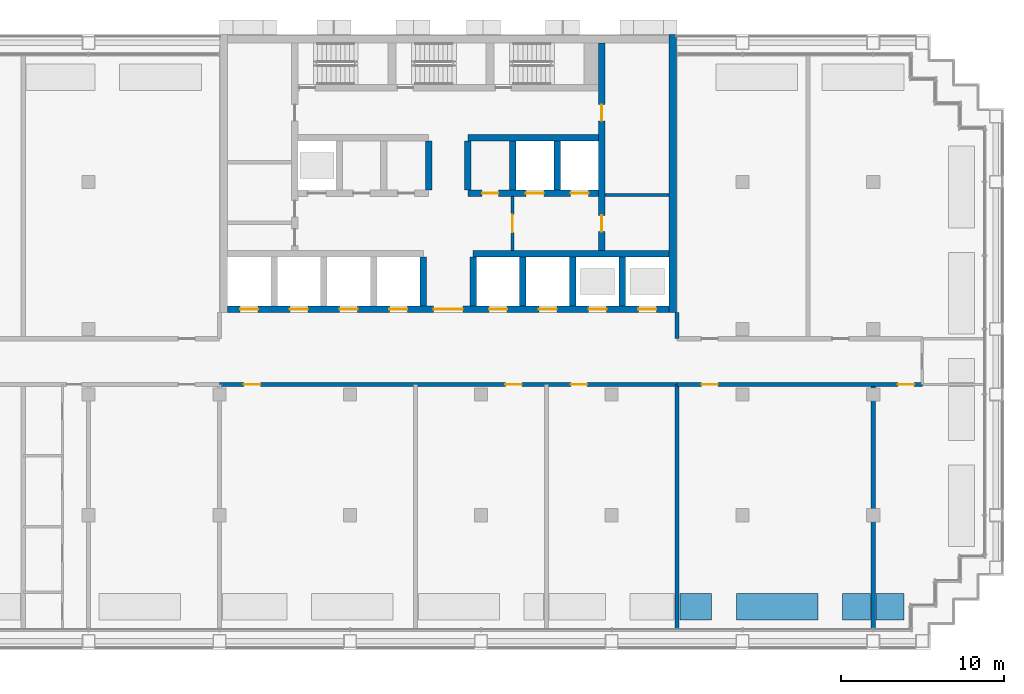
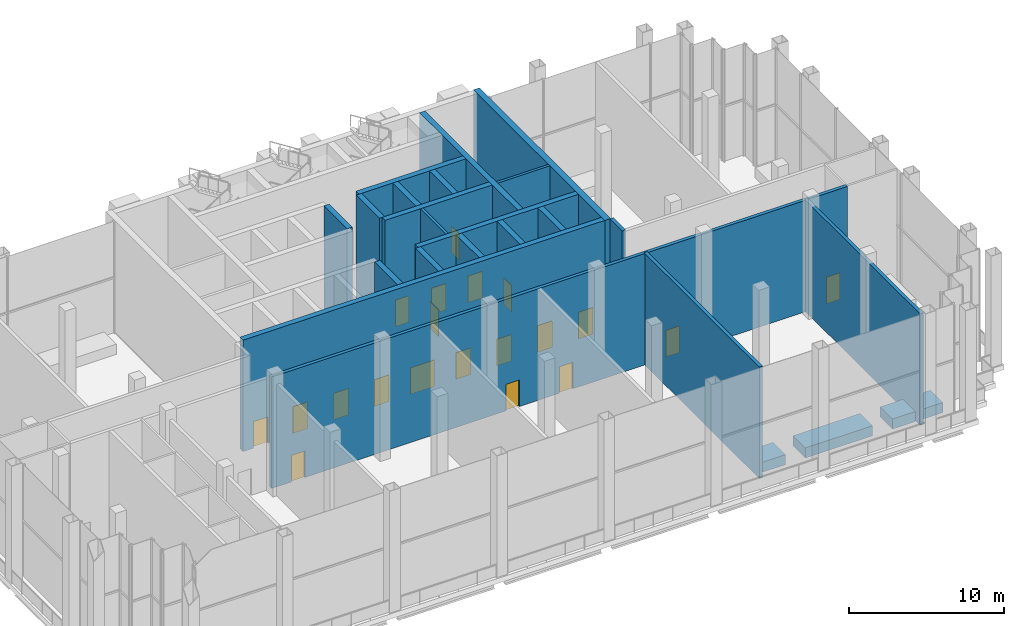
# One storey, part 9 of 16: 26 walls, 20 doors, 20 openings.
"""IFC4 building model written with IfcOpenShell, lengths in metres."""

from ifc_helpers import new_model, si_unit, direction, frame, frame_2d, origin, place, context, subcontext, project, spatial, rectangle, extrude, material, layer, layer_set, type_object, element, fill, save


model = new_model("IFC4")

# Units and contexts
model_context = context("Model", 3, precision=1e-05, world=origin(), true_north=direction((0.0, 1.0)))
body_context = subcontext(model_context, "Body", "Model", "MODEL_VIEW")
ifc_project = project(units=[si_unit("LENGTHUNIT", "METRE"), si_unit("AREAUNIT", "SQUARE_METRE"), si_unit("VOLUMEUNIT", "CUBIC_METRE"), si_unit("PLANEANGLEUNIT", "RADIAN"), si_unit("MASSUNIT", "GRAM", prefix="KILO")], contexts=[model_context])

# Site, building, storey
site_placement = place(None, origin())
site = spatial("IfcSite", under=ifc_project, at=site_placement, CompositionType="ELEMENT")
building_placement = place(site_placement, origin())
building = spatial("IfcBuilding", under=site, at=building_placement, Name="Vidyagriha Tower", CompositionType="ELEMENT")
storey_placement = place(building_placement, frame((0.0, 0.0, 151.800048828125)))
storey = spatial("IfcBuildingStorey", under=building, at=storey_placement, Name="L40", CompositionType="ELEMENT", Elevation=151.800048828125)

# Walls
ifc_material_1 = material(Name="Precast concrete C40/50 with brick facing", Category="concrete")
ifc_layer_1 = layer(ifc_material_1, 1.60009765625)
ifc_layer_set_1 = layer_set([ifc_layer_1], Name="Precast concrete C40/50 with brick facing")
wall_type_1 = type_object("IfcWallType", Name="Brick planter box 1600", PredefinedType="STANDARD", material=ifc_layer_set_1)
wall_1_placement = place(storey_placement, frame((17.6201171875, -15.0, 0.0)))
element("IfcWall", 1, at=wall_1_placement, inside=storey, type_object=wall_type_1, Name="PLANTER L40 16", PredefinedType="STANDARD", context=body_context, shape_type="SweptSolid", body=[
    extrude(rectangle(XDim=5.0, YDim=1.60009765625, at=frame_2d((2.5, 0.0))), origin(), (0.0, 0.0, 1.0), 0.800048828125),
])
wall_2_placement = place(storey_placement, frame((14.175048828125, -15.0, 0.0)))
element("IfcWall", 2, at=wall_2_placement, inside=storey, type_object=wall_type_1, Name="PLANTER L40 15", PredefinedType="STANDARD", context=body_context, shape_type="SweptSolid", body=[
    extrude(rectangle(XDim=1.945068359375, YDim=1.60009765625, at=frame_2d((0.97265625, 0.0))), origin(), (0.0, 0.0, 1.0), 0.800048828125),
])
for number, where, name in (
    (3, (24.1201171875, -15.0, 0.0), "PLANTER L40 17"),
    (4, (26.175048828125, -15.0, 0.0), "PLANTER L40 17"),
):
    element("IfcWall", number, at=place(storey_placement, frame(where)), inside=storey, type_object=wall_type_1, Name=name, PredefinedType="STANDARD", context=body_context, shape_type="SweptSolid", body=[
        extrude(rectangle(XDim=1.704833984375, YDim=1.60009765625, at=frame_2d((0.8525390625, 0.0))), origin(), (0.0, 0.0, 1.0), 0.800048828125),
    ])

# Wall, openings, doors
ifc_material_2 = material(Name="Concrete C60/75", Category="concrete")
ifc_layer_2 = layer(ifc_material_2, 0.39990234375)
ifc_layer_set_2 = layer_set([ifc_layer_2], Name="Concrete C60/75")
wall_type_2 = type_object("IfcWallType", Name="Core shear wall 400 mm", PredefinedType="SHEAR", material=ifc_layer_set_2)
wall_3_placement = place(storey_placement, frame((9.39990234375, 6.800048828125, 0.0), z_axis=(0.0, 0.0, 1.0), x_axis=(0.0, 1.0, 0.0)))
wall_3 = element("IfcWall", 5, at=wall_3_placement, inside=storey, type_object=wall_type_2, Name="Core east spine wall", PredefinedType="SHEAR", context=body_context, shape_type="SweptSolid", body=[
    extrude(rectangle(XDim=12.699951171875, YDim=0.39990234375, at=frame_2d((6.35009765625, 0.0))), origin(), (0.0, 0.0, 1.0), 8.800048828125),
])
opening_1_placement = place(wall_3_placement, frame((1.14990234375, 0.0, 0.0)))
opening_1 = element("IfcOpeningElement", 6, at=opening_1_placement, cuts=wall_3, Name="Opening D40-12", PredefinedType="OPENING", context=body_context, shape_type="SweptSolid", body=[
    extrude(rectangle(XDim=1.0, YDim=2.10009765625, at=frame_2d((0.5, 1.050048828125))), frame((0.0, 0.2099609375, 0.0), z_axis=(0.0, -1.0, 0.0), x_axis=(1.0, 0.0, 0.0)), (0.0, 0.0, 1.0), 0.419921875),
])
opening_2_placement = place(wall_3_placement, frame((7.925048828125, 0.0, 0.0)))
opening_2 = element("IfcOpeningElement", 7, at=opening_2_placement, cuts=wall_3, Name="Opening D40-13", PredefinedType="OPENING", context=body_context, shape_type="SweptSolid", body=[
    extrude(rectangle(XDim=1.0, YDim=2.10009765625, at=frame_2d((0.5, 1.050048828125))), frame((0.0, 0.2099609375, 0.0), z_axis=(0.0, -1.0, 0.0), x_axis=(1.0, 0.0, 0.0)), (0.0, 0.0, 1.0), 0.419921875),
])
ifc_material_3 = material(Name="Hollow metal door leaf")
door_type_1 = type_object("IfcDoorType", Name="Core room door 1000 x 2100 mm EI 60", OperationType="NOTDEFINED", PredefinedType="DOOR", material=ifc_material_3)
door_1_placement = place(opening_1_placement, origin())
door_1 = element("IfcDoor", 8, at=door_1_placement, inside=storey, type_object=door_type_1, Name="Door Storage Room 40.E1", OperationType="SINGLE_SWING_RIGHT", OverallHeight=2.10009765625, OverallWidth=1.0, PredefinedType="DOOR", context=body_context, shape_type="SweptSolid", body=[
    extrude(rectangle(XDim=1.0, YDim=2.10009765625, at=frame_2d((0.5, 1.050048828125))), frame((0.0, 0.02490234375, 0.0), z_axis=(0.0, -1.0, 0.0), x_axis=(1.0, 0.0, 0.0)), (0.0, 0.0, 1.0), 0.050048828125),
])
fill(opening_1, door_1)
door_2_placement = place(opening_2_placement, origin())
door_2 = element("IfcDoor", 9, at=door_2_placement, inside=storey, type_object=door_type_1, Name="Door Cleaners Store 40.E2", OperationType="SINGLE_SWING_LEFT", OverallHeight=2.10009765625, OverallWidth=1.0, PredefinedType="DOOR", context=body_context, shape_type="SweptSolid", body=[
    extrude(rectangle(XDim=1.0, YDim=2.10009765625, at=frame_2d((0.5, 1.050048828125))), frame((0.0, 0.02490234375, 0.0), z_axis=(0.0, -1.0, 0.0), x_axis=(1.0, 0.0, 0.0)), (0.0, 0.0, 1.0), 0.050048828125),
])
fill(opening_2, door_2)

wall_4_placement = place(storey_placement, frame((-13.5, 3.199951171875, 0.0)))
wall_4 = element("IfcWall", 10, at=wall_4_placement, inside=storey, type_object=wall_type_2, Name="Core front wall", PredefinedType="SHEAR", context=body_context, shape_type="SweptSolid", body=[
    extrude(rectangle(XDim=27.0, YDim=0.39990234375, at=frame_2d((13.5, 0.0))), origin(), (0.0, 0.0, 1.0), 8.800048828125),
])
opening_3_placement = place(wall_4_placement, frame((0.772216796875, 0.0, 0.0)))
opening_3 = element("IfcOpeningElement", 11, at=opening_3_placement, cuts=wall_4, Name="Opening LD40-01", PredefinedType="OPENING", context=body_context, shape_type="SweptSolid", body=[
    extrude(rectangle(XDim=1.10009765625, YDim=2.10009765625, at=frame_2d((0.550048828125, 1.050048828125))), frame((0.0, 0.2099609375, 0.0), z_axis=(0.0, -1.0, 0.0), x_axis=(1.0, 0.0, 0.0)), (0.0, 0.0, 1.0), 0.419921875),
])
opening_4_placement = place(wall_4_placement, frame((3.816650390625, 0.0, 0.0)))
opening_4 = element("IfcOpeningElement", 12, at=opening_4_placement, cuts=wall_4, Name="Opening LD40-02", PredefinedType="OPENING", context=body_context, shape_type="SweptSolid", body=[
    extrude(rectangle(XDim=1.10009765625, YDim=2.10009765625, at=frame_2d((0.550048828125, 1.050048828125))), frame((0.0, 0.2099609375, 0.0), z_axis=(0.0, -1.0, 0.0), x_axis=(1.0, 0.0, 0.0)), (0.0, 0.0, 1.0), 0.419921875),
])
opening_5_placement = place(wall_4_placement, frame((6.861083984375, 0.0, 0.0)))
opening_5 = element("IfcOpeningElement", 13, at=opening_5_placement, cuts=wall_4, Name="Opening LD40-03", PredefinedType="OPENING", context=body_context, shape_type="SweptSolid", body=[
    extrude(rectangle(XDim=1.10009765625, YDim=2.10009765625, at=frame_2d((0.550048828125, 1.050048828125))), frame((0.0, 0.2099609375, 0.0), z_axis=(0.0, -1.0, 0.0), x_axis=(1.0, 0.0, 0.0)), (0.0, 0.0, 1.0), 0.419921875),
])
opening_6_placement = place(wall_4_placement, frame((9.905517578125, 0.0, 0.0)))
opening_6 = element("IfcOpeningElement", 14, at=opening_6_placement, cuts=wall_4, Name="Opening LD40-04", PredefinedType="OPENING", context=body_context, shape_type="SweptSolid", body=[
    extrude(rectangle(XDim=1.10009765625, YDim=2.10009765625, at=frame_2d((0.550048828125, 1.050048828125))), frame((0.0, 0.2099609375, 0.0), z_axis=(0.0, -1.0, 0.0), x_axis=(1.0, 0.0, 0.0)), (0.0, 0.0, 1.0), 0.419921875),
])
opening_7_placement = place(wall_4_placement, frame((15.994384765625, 0.0, 0.0)))
opening_7 = element("IfcOpeningElement", 15, at=opening_7_placement, cuts=wall_4, Name="Opening LD40-05", PredefinedType="OPENING", context=body_context, shape_type="SweptSolid", body=[
    extrude(rectangle(XDim=1.10009765625, YDim=2.10009765625, at=frame_2d((0.550048828125, 1.050048828125))), frame((0.0, 0.2099609375, 0.0), z_axis=(0.0, -1.0, 0.0), x_axis=(1.0, 0.0, 0.0)), (0.0, 0.0, 1.0), 0.419921875),
])
opening_8_placement = place(wall_4_placement, frame((19.038818359375, 0.0, 0.0)))
opening_8 = element("IfcOpeningElement", 16, at=opening_8_placement, cuts=wall_4, Name="Opening LD40-06", PredefinedType="OPENING", context=body_context, shape_type="SweptSolid", body=[
    extrude(rectangle(XDim=1.10009765625, YDim=2.10009765625, at=frame_2d((0.550048828125, 1.050048828125))), frame((0.0, 0.2099609375, 0.0), z_axis=(0.0, -1.0, 0.0), x_axis=(1.0, 0.0, 0.0)), (0.0, 0.0, 1.0), 0.419921875),
])
opening_9_placement = place(wall_4_placement, frame((22.083251953125, 0.0, 0.0)))
opening_9 = element("IfcOpeningElement", 17, at=opening_9_placement, cuts=wall_4, Name="Opening LD40-07", PredefinedType="OPENING", context=body_context, shape_type="SweptSolid", body=[
    extrude(rectangle(XDim=1.10009765625, YDim=2.10009765625, at=frame_2d((0.550048828125, 1.050048828125))), frame((0.0, 0.2099609375, 0.0), z_axis=(0.0, -1.0, 0.0), x_axis=(1.0, 0.0, 0.0)), (0.0, 0.0, 1.0), 0.419921875),
])
opening_10_placement = place(wall_4_placement, frame((25.127685546875, 0.0, 0.0)))
opening_10 = element("IfcOpeningElement", 18, at=opening_10_placement, cuts=wall_4, Name="Opening LD40-08", PredefinedType="OPENING", context=body_context, shape_type="SweptSolid", body=[
    extrude(rectangle(XDim=1.10009765625, YDim=2.10009765625, at=frame_2d((0.550048828125, 1.050048828125))), frame((0.0, 0.2099609375, 0.0), z_axis=(0.0, -1.0, 0.0), x_axis=(1.0, 0.0, 0.0)), (0.0, 0.0, 1.0), 0.419921875),
])
opening_11_placement = place(wall_4_placement, frame((12.60009765625, 0.0, 0.0)))
opening_11 = element("IfcOpeningElement", 19, at=opening_11_placement, cuts=wall_4, Name="Opening D40-01", PredefinedType="OPENING", context=body_context, shape_type="SweptSolid", body=[
    extrude(rectangle(XDim=1.800048828125, YDim=2.10009765625, at=frame_2d((0.89990234375, 1.050048828125))), frame((0.0, 0.2099609375, 0.0), z_axis=(0.0, -1.0, 0.0), x_axis=(1.0, 0.0, 0.0)), (0.0, 0.0, 1.0), 0.419921875),
])
ifc_material_4 = material(Name="Hollow metal door leaf")
door_type_2 = type_object("IfcDoorType", Name="Core lobby double door 1800 x 2100 mm EI 60", OperationType="NOTDEFINED", PredefinedType="DOOR", material=ifc_material_4)
door_3_placement = place(opening_11_placement, frame((1.800048828125, 0.0, 0.0), z_axis=(0.0, 0.0, 1.0), x_axis=(-1.0, 0.0, 0.0)))
door_3 = element("IfcDoor", 20, at=door_3_placement, inside=storey, type_object=door_type_2, Name="Core entrance door L40", OperationType="DOUBLE_DOOR_SINGLE_SWING", OverallHeight=2.10009765625, OverallWidth=1.800048828125, PredefinedType="DOOR", context=body_context, shape_type="SweptSolid", body=[
    extrude(rectangle(XDim=1.800048828125, YDim=2.10009765625, at=frame_2d((0.89990234375, 1.050048828125))), frame((0.0, 0.02490234375, 0.0), z_axis=(0.0, -1.0, 0.0), x_axis=(1.0, 0.0, 0.0)), (0.0, 0.0, 1.0), 0.050048828125),
])
fill(opening_11, door_3)
ifc_material_5 = material(Name="Stainless steel sliding door panel", Category="steel")
door_type_3 = type_object("IfcDoorType", Name="Lift landing door 1100 x 2100 mm EI 90", OperationType="NOTDEFINED", PredefinedType="DOOR", material=ifc_material_5)
door_4_placement = place(opening_3_placement, origin())
door_4 = element("IfcDoor", 21, at=door_4_placement, inside=storey, type_object=door_type_3, Name="Landing door SH1 L40", OperationType="SLIDING_TO_LEFT", OverallHeight=2.10009765625, OverallWidth=1.10009765625, PredefinedType="DOOR", context=body_context, shape_type="SweptSolid", body=[
    extrude(rectangle(XDim=1.10009765625, YDim=2.10009765625, at=frame_2d((0.550048828125, 1.050048828125))), frame((0.0, 0.02490234375, 0.0), z_axis=(0.0, -1.0, 0.0), x_axis=(1.0, 0.0, 0.0)), (0.0, 0.0, 1.0), 0.050048828125),
])
fill(opening_3, door_4)
door_5_placement = place(opening_4_placement, origin())
door_5 = element("IfcDoor", 22, at=door_5_placement, inside=storey, type_object=door_type_3, Name="Landing door SH2 L40", OperationType="SLIDING_TO_LEFT", OverallHeight=2.10009765625, OverallWidth=1.10009765625, PredefinedType="DOOR", context=body_context, shape_type="SweptSolid", body=[
    extrude(rectangle(XDim=1.10009765625, YDim=2.10009765625, at=frame_2d((0.550048828125, 1.050048828125))), frame((0.0, 0.02490234375, 0.0), z_axis=(0.0, -1.0, 0.0), x_axis=(1.0, 0.0, 0.0)), (0.0, 0.0, 1.0), 0.050048828125),
])
fill(opening_4, door_5)
door_6_placement = place(opening_5_placement, origin())
door_6 = element("IfcDoor", 23, at=door_6_placement, inside=storey, type_object=door_type_3, Name="Landing door LR1 L40", OperationType="SLIDING_TO_LEFT", OverallHeight=2.10009765625, OverallWidth=1.10009765625, PredefinedType="DOOR", context=body_context, shape_type="SweptSolid", body=[
    extrude(rectangle(XDim=1.10009765625, YDim=2.10009765625, at=frame_2d((0.550048828125, 1.050048828125))), frame((0.0, 0.02490234375, 0.0), z_axis=(0.0, -1.0, 0.0), x_axis=(1.0, 0.0, 0.0)), (0.0, 0.0, 1.0), 0.050048828125),
])
fill(opening_5, door_6)
door_7_placement = place(opening_6_placement, origin())
door_7 = element("IfcDoor", 24, at=door_7_placement, inside=storey, type_object=door_type_3, Name="Landing door LR2 L40", OperationType="SLIDING_TO_LEFT", OverallHeight=2.10009765625, OverallWidth=1.10009765625, PredefinedType="DOOR", context=body_context, shape_type="SweptSolid", body=[
    extrude(rectangle(XDim=1.10009765625, YDim=2.10009765625, at=frame_2d((0.550048828125, 1.050048828125))), frame((0.0, 0.02490234375, 0.0), z_axis=(0.0, -1.0, 0.0), x_axis=(1.0, 0.0, 0.0)), (0.0, 0.0, 1.0), 0.050048828125),
])
fill(opening_6, door_7)
door_8_placement = place(opening_7_placement, origin())
door_8 = element("IfcDoor", 25, at=door_8_placement, inside=storey, type_object=door_type_3, Name="Landing door LR3 L40", OperationType="SLIDING_TO_LEFT", OverallHeight=2.10009765625, OverallWidth=1.10009765625, PredefinedType="DOOR", context=body_context, shape_type="SweptSolid", body=[
    extrude(rectangle(XDim=1.10009765625, YDim=2.10009765625, at=frame_2d((0.550048828125, 1.050048828125))), frame((0.0, 0.02490234375, 0.0), z_axis=(0.0, -1.0, 0.0), x_axis=(1.0, 0.0, 0.0)), (0.0, 0.0, 1.0), 0.050048828125),
])
fill(opening_7, door_8)
door_9_placement = place(opening_8_placement, origin())
door_9 = element("IfcDoor", 26, at=door_9_placement, inside=storey, type_object=door_type_3, Name="Landing door LR4 L40", OperationType="SLIDING_TO_LEFT", OverallHeight=2.10009765625, OverallWidth=1.10009765625, PredefinedType="DOOR", context=body_context, shape_type="SweptSolid", body=[
    extrude(rectangle(XDim=1.10009765625, YDim=2.10009765625, at=frame_2d((0.550048828125, 1.050048828125))), frame((0.0, 0.02490234375, 0.0), z_axis=(0.0, -1.0, 0.0), x_axis=(1.0, 0.0, 0.0)), (0.0, 0.0, 1.0), 0.050048828125),
])
fill(opening_8, door_9)
door_10_placement = place(opening_9_placement, origin())
door_10 = element("IfcDoor", 27, at=door_10_placement, inside=storey, type_object=door_type_3, Name="Landing door MR1 L40", OperationType="SLIDING_TO_LEFT", OverallHeight=2.10009765625, OverallWidth=1.10009765625, PredefinedType="DOOR", context=body_context, shape_type="SweptSolid", body=[
    extrude(rectangle(XDim=1.10009765625, YDim=2.10009765625, at=frame_2d((0.550048828125, 1.050048828125))), frame((0.0, 0.02490234375, 0.0), z_axis=(0.0, -1.0, 0.0), x_axis=(1.0, 0.0, 0.0)), (0.0, 0.0, 1.0), 0.050048828125),
])
fill(opening_9, door_10)
door_11_placement = place(opening_10_placement, origin())
door_11 = element("IfcDoor", 28, at=door_11_placement, inside=storey, type_object=door_type_3, Name="Landing door MR2 L40", OperationType="SLIDING_TO_LEFT", OverallHeight=2.10009765625, OverallWidth=1.10009765625, PredefinedType="DOOR", context=body_context, shape_type="SweptSolid", body=[
    extrude(rectangle(XDim=1.10009765625, YDim=2.10009765625, at=frame_2d((0.550048828125, 1.050048828125))), frame((0.0, 0.02490234375, 0.0), z_axis=(0.0, -1.0, 0.0), x_axis=(1.0, 0.0, 0.0)), (0.0, 0.0, 1.0), 0.050048828125),
])
fill(opening_10, door_11)

# Walls
wall_5_placement = place(storey_placement, frame((1.522216796875, 6.60009765625, 0.0)))
element("IfcWall", 29, at=wall_5_placement, inside=storey, type_object=wall_type_2, Name="Core lobby south wall east", PredefinedType="SHEAR", context=body_context, shape_type="SweptSolid", body=[
    extrude(rectangle(XDim=11.977783203125, YDim=0.39990234375, at=frame_2d((5.98876953125, 0.0))), origin(), (0.0, 0.0, 1.0), 8.800048828125),
])
for number, where, z_axis, x_axis, name in (
    (30, (-1.522216796875, 3.39990234375, 0.0), (0.0, 0.0, 1.0), (0.0, 1.0, 0.0), "Core bay wall S4"),
    (31, (1.522216796875, 3.39990234375, 0.0), (0.0, 0.0, 1.0), (0.0, 1.0, 0.0), "Core bay wall S5"),
    (32, (4.566650390625, 3.39990234375, 0.0), (0.0, 0.0, 1.0), (0.0, 1.0, 0.0), "Core bay wall S6"),
    (33, (7.611083984375, 3.39990234375, 0.0), (0.0, 0.0, 1.0), (0.0, 1.0, 0.0), "Core bay wall S7"),
    (34, (10.655517578125, 3.39990234375, 0.0), (0.0, 0.0, 1.0), (0.0, 1.0, 0.0), "Core bay wall S8"),
):
    element("IfcWall", number, at=place(storey_placement, frame(where, z_axis=z_axis, x_axis=x_axis)), inside=storey, type_object=wall_type_2, Name=name, PredefinedType="SHEAR", context=body_context, shape_type="SweptSolid", body=[
        extrude(rectangle(XDim=3.0, YDim=0.39990234375, at=frame_2d((1.5, 0.0))), origin(), (0.0, 0.0, 1.0), 8.800048828125),
    ])

# Wall, openings, doors
wall_6_placement = place(storey_placement, frame((1.199951171875, 10.300048828125, 0.0)))
wall_6 = element("IfcWall", 35, at=wall_6_placement, inside=storey, type_object=wall_type_2, Name="Core row N front wall", PredefinedType="SHEAR", context=body_context, shape_type="SweptSolid", body=[
    extrude(rectangle(XDim=8.0, YDim=0.39990234375, at=frame_2d((4.0, 0.0))), origin(), (0.0, 0.0, 1.0), 8.800048828125),
])
opening_12_placement = place(wall_6_placement, frame((3.550048828125, 0.0, 0.0)))
opening_12 = element("IfcOpeningElement", 36, at=opening_12_placement, cuts=wall_6, Name="Opening LD40-10", PredefinedType="OPENING", context=body_context, shape_type="SweptSolid", body=[
    extrude(rectangle(XDim=1.10009765625, YDim=2.10009765625, at=frame_2d((0.550048828125, 1.050048828125))), frame((0.0, 0.2099609375, 0.0), z_axis=(0.0, -1.0, 0.0), x_axis=(1.0, 0.0, 0.0)), (0.0, 0.0, 1.0), 0.419921875),
])
opening_13_placement = place(wall_6_placement, frame((6.283203125, 0.0, 0.0)))
opening_13 = element("IfcOpeningElement", 37, at=opening_13_placement, cuts=wall_6, Name="Opening LD40-11", PredefinedType="OPENING", context=body_context, shape_type="SweptSolid", body=[
    extrude(rectangle(XDim=1.10009765625, YDim=2.10009765625, at=frame_2d((0.550048828125, 1.050048828125))), frame((0.0, 0.2099609375, 0.0), z_axis=(0.0, -1.0, 0.0), x_axis=(1.0, 0.0, 0.0)), (0.0, 0.0, 1.0), 0.419921875),
])
opening_14_placement = place(wall_6_placement, frame((0.86669921875, 0.0, 0.0)))
opening_14 = element("IfcOpeningElement", 38, at=opening_14_placement, cuts=wall_6, Name="Opening D40-04", PredefinedType="OPENING", context=body_context, shape_type="SweptSolid", body=[
    extrude(rectangle(XDim=1.0, YDim=2.10009765625, at=frame_2d((0.5, 1.050048828125))), frame((0.0, 0.2099609375, 0.0), z_axis=(0.0, -1.0, 0.0), x_axis=(1.0, 0.0, 0.0)), (0.0, 0.0, 1.0), 0.419921875),
])
door_12_placement = place(opening_14_placement, frame((1.0, 0.0, 0.0), z_axis=(0.0, 0.0, 1.0), x_axis=(-1.0, 0.0, 0.0)))
door_12 = element("IfcDoor", 39, at=door_12_placement, inside=storey, type_object=door_type_1, Name="Door Switchgear Room 40.16", OperationType="SINGLE_SWING_LEFT", OverallHeight=2.10009765625, OverallWidth=1.0, PredefinedType="DOOR", context=body_context, shape_type="SweptSolid", body=[
    extrude(rectangle(XDim=1.0, YDim=2.10009765625, at=frame_2d((0.5, 1.050048828125))), frame((0.0, 0.02490234375, 0.0), z_axis=(0.0, -1.0, 0.0), x_axis=(1.0, 0.0, 0.0)), (0.0, 0.0, 1.0), 0.050048828125),
])
fill(opening_14, door_12)
door_13_placement = place(opening_12_placement, origin())
door_13 = element("IfcDoor", 40, at=door_13_placement, inside=storey, type_object=door_type_3, Name="Landing door FF1 L40", OperationType="SLIDING_TO_LEFT", OverallHeight=2.10009765625, OverallWidth=1.10009765625, PredefinedType="DOOR", context=body_context, shape_type="SweptSolid", body=[
    extrude(rectangle(XDim=1.10009765625, YDim=2.10009765625, at=frame_2d((0.550048828125, 1.050048828125))), frame((0.0, 0.02490234375, 0.0), z_axis=(0.0, -1.0, 0.0), x_axis=(1.0, 0.0, 0.0)), (0.0, 0.0, 1.0), 0.050048828125),
])
fill(opening_12, door_13)
door_14_placement = place(opening_13_placement, origin())
door_14 = element("IfcDoor", 41, at=door_14_placement, inside=storey, type_object=door_type_3, Name="Landing door FF2 L40", OperationType="SLIDING_TO_LEFT", OverallHeight=2.10009765625, OverallWidth=1.10009765625, PredefinedType="DOOR", context=body_context, shape_type="SweptSolid", body=[
    extrude(rectangle(XDim=1.10009765625, YDim=2.10009765625, at=frame_2d((0.550048828125, 1.050048828125))), frame((0.0, 0.02490234375, 0.0), z_axis=(0.0, -1.0, 0.0), x_axis=(1.0, 0.0, 0.0)), (0.0, 0.0, 1.0), 0.050048828125),
])
fill(opening_13, door_14)

# Walls
wall_7_placement = place(storey_placement, frame((1.199951171875, 13.699951171875, 0.0)))
element("IfcWall", 42, at=wall_7_placement, inside=storey, type_object=wall_type_2, Name="Core row N rear wall", PredefinedType="SHEAR", context=body_context, shape_type="SweptSolid", body=[
    extrude(rectangle(XDim=8.0, YDim=0.39990234375, at=frame_2d((4.0, 0.0))), origin(), (0.0, 0.0, 1.0), 8.800048828125),
])
for number, where, z_axis, x_axis, name in (
    (43, (-1.199951171875, 10.5, 0.0), (0.0, 0.0, 1.0), (0.0, 1.0, 0.0), "Core bay wall N3"),
    (44, (1.199951171875, 10.5, 0.0), (0.0, 0.0, 1.0), (0.0, 1.0, 0.0), "Core bay wall N4"),
    (45, (3.933349609375, 10.5, 0.0), (0.0, 0.0, 1.0), (0.0, 1.0, 0.0), "Core bay wall N5"),
    (46, (6.666748046875, 10.5, 0.0), (0.0, 0.0, 1.0), (0.0, 1.0, 0.0), "Core bay wall N6"),
):
    element("IfcWall", number, at=place(storey_placement, frame(where, z_axis=z_axis, x_axis=x_axis)), inside=storey, type_object=wall_type_2, Name=name, PredefinedType="SHEAR", context=body_context, shape_type="SweptSolid", body=[
        extrude(rectangle(XDim=3.0, YDim=0.39990234375, at=frame_2d((1.5, 0.0))), origin(), (0.0, 0.0, 1.0), 8.800048828125),
    ])
ifc_material_6 = material(Name="Concrete C60/75", Category="concrete")
ifc_layer_3 = layer(ifc_material_6, 0.449951171875)
ifc_layer_set_3 = layer_set([ifc_layer_3], Name="Concrete C60/75")
wall_type_3 = type_object("IfcWallType", Name="Core shear wall 450 mm", PredefinedType="SHEAR", material=ifc_layer_set_3)
wall_8_placement = place(storey_placement, frame((13.72509765625, 3.0, 0.0), z_axis=(0.0, 0.0, 1.0), x_axis=(0.0, 1.0, 0.0)))
element("IfcWall", 47, at=wall_8_placement, inside=storey, type_object=wall_type_3, Name="Core east wall", PredefinedType="SHEAR", context=body_context, shape_type="SweptSolid", body=[
    extrude(rectangle(XDim=17.0, YDim=0.449951171875, at=frame_2d((8.5, 0.0))), origin(), (0.0, 0.0, 1.0), 8.800048828125),
])

# Wall, openings, doors
ifc_material_7 = material(Name="Fired clay brick masonry", Category="masonry")
ifc_layer_4 = layer(ifc_material_7, 0.25)
ifc_layer_set_4 = layer_set([ifc_layer_4], Name="Fired clay brick masonry")
wall_type_4 = type_object("IfcWallType", Name="Fired clay brick corridor wall 250", PredefinedType="PARTITIONING", material=ifc_layer_set_4)
wall_9_placement = place(storey_placement, frame((29.0, -1.39990234375, 0.0), z_axis=(0.0, 0.0, 1.0), x_axis=(-1.0, 0.0, 0.0)))
wall_9 = element("IfcWall", 48, at=wall_9_placement, inside=storey, type_object=wall_type_4, Name="Wall all-L40-w024", PredefinedType="PARTITIONING", context=body_context, shape_type="SweptSolid", body=[
    extrude(rectangle(XDim=15.0, YDim=0.25, at=frame_2d((7.5, 0.0))), origin(), (0.0, 0.0, 1.0), 8.800048828125),
])
opening_15_placement = place(wall_9_placement, frame((12.5, 0.0, 0.0)))
opening_15 = element("IfcOpeningElement", 49, at=opening_15_placement, cuts=wall_9, Name="Opening D40-24", PredefinedType="OPENING", context=body_context, shape_type="SweptSolid", body=[
    extrude(rectangle(XDim=1.0, YDim=2.10009765625, at=frame_2d((0.5, 1.050048828125))), frame((0.0, 0.135009765625, 0.0), z_axis=(0.0, -1.0, 0.0), x_axis=(1.0, 0.0, 0.0)), (0.0, 0.0, 1.0), 0.27001953125),
])
opening_16_placement = place(wall_9_placement, frame((0.5, 0.0, 0.0)))
opening_16 = element("IfcOpeningElement", 50, at=opening_16_placement, cuts=wall_9, Name="Opening D40-25", PredefinedType="OPENING", context=body_context, shape_type="SweptSolid", body=[
    extrude(rectangle(XDim=1.0, YDim=2.10009765625, at=frame_2d((0.5, 1.050048828125))), frame((0.0, 0.135009765625, 0.0), z_axis=(0.0, -1.0, 0.0), x_axis=(1.0, 0.0, 0.0)), (0.0, 0.0, 1.0), 0.27001953125),
])
ifc_material_8 = material(Name="Fire-rated timber door leaf EI 60", Category="wood")
door_type_4 = type_object("IfcDoorType", Name="Flat entrance fire door 1000x2100", OperationType="NOTDEFINED", PredefinedType="DOOR", material=ifc_material_8)
door_15_placement = place(opening_15_placement, origin())
door_15 = element("IfcDoor", 51, at=door_15_placement, inside=storey, type_object=door_type_4, Name="Door D40-24", OperationType="SINGLE_SWING_RIGHT", OverallHeight=2.10009765625, OverallWidth=1.0, PredefinedType="DOOR", context=body_context, shape_type="SweptSolid", body=[
    extrude(rectangle(XDim=1.0, YDim=2.10009765625, at=frame_2d((0.5, 1.050048828125))), frame((0.0, 0.02490234375, 0.0), z_axis=(0.0, -1.0, 0.0), x_axis=(1.0, 0.0, 0.0)), (0.0, 0.0, 1.0), 0.050048828125),
])
fill(opening_15, door_15)
door_16_placement = place(opening_16_placement, origin())
door_16 = element("IfcDoor", 52, at=door_16_placement, inside=storey, type_object=door_type_4, Name="Door D40-25", OperationType="SINGLE_SWING_RIGHT", OverallHeight=2.10009765625, OverallWidth=1.0, PredefinedType="DOOR", context=body_context, shape_type="SweptSolid", body=[
    extrude(rectangle(XDim=1.0, YDim=2.10009765625, at=frame_2d((0.5, 1.050048828125))), frame((0.0, 0.02490234375, 0.0), z_axis=(0.0, -1.0, 0.0), x_axis=(1.0, 0.0, 0.0)), (0.0, 0.0, 1.0), 0.050048828125),
])
fill(opening_16, door_16)

wall_10_placement = place(storey_placement, frame((14.0, -1.39990234375, 0.0), z_axis=(0.0, 0.0, 1.0), x_axis=(-1.0, 0.0, 0.0)))
wall_10 = element("IfcWall", 53, at=wall_10_placement, inside=storey, type_object=wall_type_4, Name="Wall all-L40-w042", PredefinedType="PARTITIONING", context=body_context, shape_type="SweptSolid", body=[
    extrude(rectangle(XDim=28.0, YDim=0.25, at=frame_2d((14.0, 0.0))), origin(), (0.0, 0.0, 1.0), 8.800048828125),
])
opening_17_placement = place(wall_10_placement, frame((25.5, 0.0, 0.0)))
opening_17 = element("IfcOpeningElement", 54, at=opening_17_placement, cuts=wall_10, Name="Opening D40-29", PredefinedType="OPENING", context=body_context, shape_type="SweptSolid", body=[
    extrude(rectangle(XDim=1.0, YDim=2.10009765625, at=frame_2d((0.5, 1.050048828125))), frame((0.0, 0.135009765625, 0.0), z_axis=(0.0, -1.0, 0.0), x_axis=(1.0, 0.0, 0.0)), (0.0, 0.0, 1.0), 0.27001953125),
])
opening_18_placement = place(wall_10_placement, frame((9.5, 0.0, 0.0)))
opening_18 = element("IfcOpeningElement", 55, at=opening_18_placement, cuts=wall_10, Name="Opening D40-30", PredefinedType="OPENING", context=body_context, shape_type="SweptSolid", body=[
    extrude(rectangle(XDim=1.0, YDim=2.10009765625, at=frame_2d((0.5, 1.050048828125))), frame((0.0, 0.135009765625, 0.0), z_axis=(0.0, -1.0, 0.0), x_axis=(1.0, 0.0, 0.0)), (0.0, 0.0, 1.0), 0.27001953125),
])
opening_19_placement = place(wall_10_placement, frame((5.5, 0.0, 0.0)))
opening_19 = element("IfcOpeningElement", 56, at=opening_19_placement, cuts=wall_10, Name="Opening D40-31", PredefinedType="OPENING", context=body_context, shape_type="SweptSolid", body=[
    extrude(rectangle(XDim=1.0, YDim=2.10009765625, at=frame_2d((0.5, 1.050048828125))), frame((0.0, 0.135009765625, 0.0), z_axis=(0.0, -1.0, 0.0), x_axis=(1.0, 0.0, 0.0)), (0.0, 0.0, 1.0), 0.27001953125),
])
door_17_placement = place(opening_17_placement, origin())
door_17 = element("IfcDoor", 57, at=door_17_placement, inside=storey, type_object=door_type_4, Name="Door D40-29", OperationType="SINGLE_SWING_RIGHT", OverallHeight=2.10009765625, OverallWidth=1.0, PredefinedType="DOOR", context=body_context, shape_type="SweptSolid", body=[
    extrude(rectangle(XDim=1.0, YDim=2.10009765625, at=frame_2d((0.5, 1.050048828125))), frame((0.0, 0.02490234375, 0.0), z_axis=(0.0, -1.0, 0.0), x_axis=(1.0, 0.0, 0.0)), (0.0, 0.0, 1.0), 0.050048828125),
])
fill(opening_17, door_17)
door_18_placement = place(opening_18_placement, origin())
door_18 = element("IfcDoor", 58, at=door_18_placement, inside=storey, type_object=door_type_4, Name="Door D40-30", OperationType="SINGLE_SWING_LEFT", OverallHeight=2.10009765625, OverallWidth=1.0, PredefinedType="DOOR", context=body_context, shape_type="SweptSolid", body=[
    extrude(rectangle(XDim=1.0, YDim=2.10009765625, at=frame_2d((0.5, 1.050048828125))), frame((0.0, 0.02490234375, 0.0), z_axis=(0.0, -1.0, 0.0), x_axis=(1.0, 0.0, 0.0)), (0.0, 0.0, 1.0), 0.050048828125),
])
fill(opening_18, door_18)
door_19_placement = place(opening_19_placement, origin())
door_19 = element("IfcDoor", 59, at=door_19_placement, inside=storey, type_object=door_type_4, Name="Door D40-31", OperationType="SINGLE_SWING_RIGHT", OverallHeight=2.10009765625, OverallWidth=1.0, PredefinedType="DOOR", context=body_context, shape_type="SweptSolid", body=[
    extrude(rectangle(XDim=1.0, YDim=2.10009765625, at=frame_2d((0.5, 1.050048828125))), frame((0.0, 0.02490234375, 0.0), z_axis=(0.0, -1.0, 0.0), x_axis=(1.0, 0.0, 0.0)), (0.0, 0.0, 1.0), 0.050048828125),
])
fill(opening_19, door_19)

# Walls
wall_11_placement = place(storey_placement, frame((14.0, 1.39990234375, 0.0), z_axis=(0.0, 0.0, 1.0), x_axis=(0.0, 1.0, 0.0)))
element("IfcWall", 60, at=wall_11_placement, inside=storey, type_object=wall_type_4, Name="Wall all-L40-w044", PredefinedType="PARTITIONING", context=body_context, shape_type="SweptSolid", body=[
    extrude(rectangle(XDim=1.60009765625, YDim=0.25, at=frame_2d((0.800048828125, 0.0))), origin(), (0.0, 0.0, 1.0), 8.800048828125),
])
ifc_material_9 = material(Name="Fired clay brick masonry", Category="masonry")
ifc_layer_5 = layer(ifc_material_9, 0.25)
ifc_layer_set_5 = layer_set([ifc_layer_5], Name="Fired clay brick masonry")
wall_type_5 = type_object("IfcWallType", Name="Fired clay brick demising wall 250", PredefinedType="PARTITIONING", material=ifc_layer_set_5)
for number, where, z_axis, x_axis, name in (
    (61, (14.0, -1.39990234375, 0.0), (0.0, 0.0, 1.0), (0.0, -1.0, 0.0), "Wall all-L40-w030"),
    (62, (26.0, -1.39990234375, 0.0), (0.0, 0.0, 1.0), (0.0, -1.0, 0.0), "Wall all-L40-w031"),
):
    element("IfcWall", number, at=place(storey_placement, frame(where, z_axis=z_axis, x_axis=x_axis)), inside=storey, type_object=wall_type_5, Name=name, PredefinedType="PARTITIONING", context=body_context, shape_type="SweptSolid", body=[
        extrude(rectangle(XDim=14.921142578125, YDim=0.25, at=frame_2d((7.46044921875, 0.0))), origin(), (0.0, 0.0, 1.0), 8.800048828125),
    ])

# Wall, opening, door
ifc_material_10 = material(Name="Blockwork 15 MPa", Category="masonry")
ifc_layer_6 = layer(ifc_material_10, 0.199951171875)
ifc_layer_set_6 = layer_set([ifc_layer_6], Name="Blockwork 15 MPa")
wall_type_6 = type_object("IfcWallType", Name="Service room partition 200 mm", PredefinedType="PARTITIONING", material=ifc_layer_set_6)
wall_12_placement = place(storey_placement, frame((3.933349609375, 6.800048828125, 0.0), z_axis=(0.0, 0.0, 1.0), x_axis=(0.0, 1.0, 0.0)))
wall_12 = element("IfcWall", 63, at=wall_12_placement, inside=storey, type_object=wall_type_6, Name="Fire-fighting lobby west wall", PredefinedType="PARTITIONING", context=body_context, shape_type="SweptSolid", body=[
    extrude(rectangle(XDim=3.300048828125, YDim=0.199951171875, at=frame_2d((1.64990234375, 0.0))), origin(), (0.0, 0.0, 1.0), 8.800048828125),
])
opening_20_placement = place(wall_12_placement, frame((1.10009765625, 0.0, 0.0)))
opening_20 = element("IfcOpeningElement", 64, at=opening_20_placement, cuts=wall_12, Name="Opening D40-05", PredefinedType="OPENING", context=body_context, shape_type="SweptSolid", body=[
    extrude(rectangle(XDim=1.10009765625, YDim=2.10009765625, at=frame_2d((0.550048828125, 1.050048828125))), frame((0.0, 0.10986328125, 0.0), z_axis=(0.0, -1.0, 0.0), x_axis=(1.0, 0.0, 0.0)), (0.0, 0.0, 1.0), 0.219970703125),
])
ifc_material_11 = material(Name="Hollow metal door leaf")
door_type_5 = type_object("IfcDoorType", Name="Fire-fighting lobby door 1100 x 2100 mm EI 90", OperationType="NOTDEFINED", PredefinedType="DOOR", material=ifc_material_11)
door_20_placement = place(opening_20_placement, origin())
door_20 = element("IfcDoor", 65, at=door_20_placement, inside=storey, type_object=door_type_5, Name="Fire-fighting lobby door L40", OperationType="SINGLE_SWING_RIGHT", OverallHeight=2.10009765625, OverallWidth=1.10009765625, PredefinedType="DOOR", context=body_context, shape_type="SweptSolid", body=[
    extrude(rectangle(XDim=1.10009765625, YDim=2.10009765625, at=frame_2d((0.550048828125, 1.050048828125))), frame((0.0, 0.02490234375, 0.0), z_axis=(0.0, -1.0, 0.0), x_axis=(1.0, 0.0, 0.0)), (0.0, 0.0, 1.0), 0.050048828125),
])
fill(opening_20, door_20)

# Wall
wall_13_placement = place(storey_placement, frame((9.60009765625, 10.199951171875, 0.0)))
element("IfcWall", 66, at=wall_13_placement, inside=storey, type_object=wall_type_6, Name="Core room partition E1", PredefinedType="PARTITIONING", context=body_context, shape_type="SweptSolid", body=[
    extrude(rectangle(XDim=3.89990234375, YDim=0.199951171875, at=frame_2d((1.949951171875, 0.0))), origin(), (0.0, 0.0, 1.0), 8.800048828125),
])

save(model, "model.ifc")
